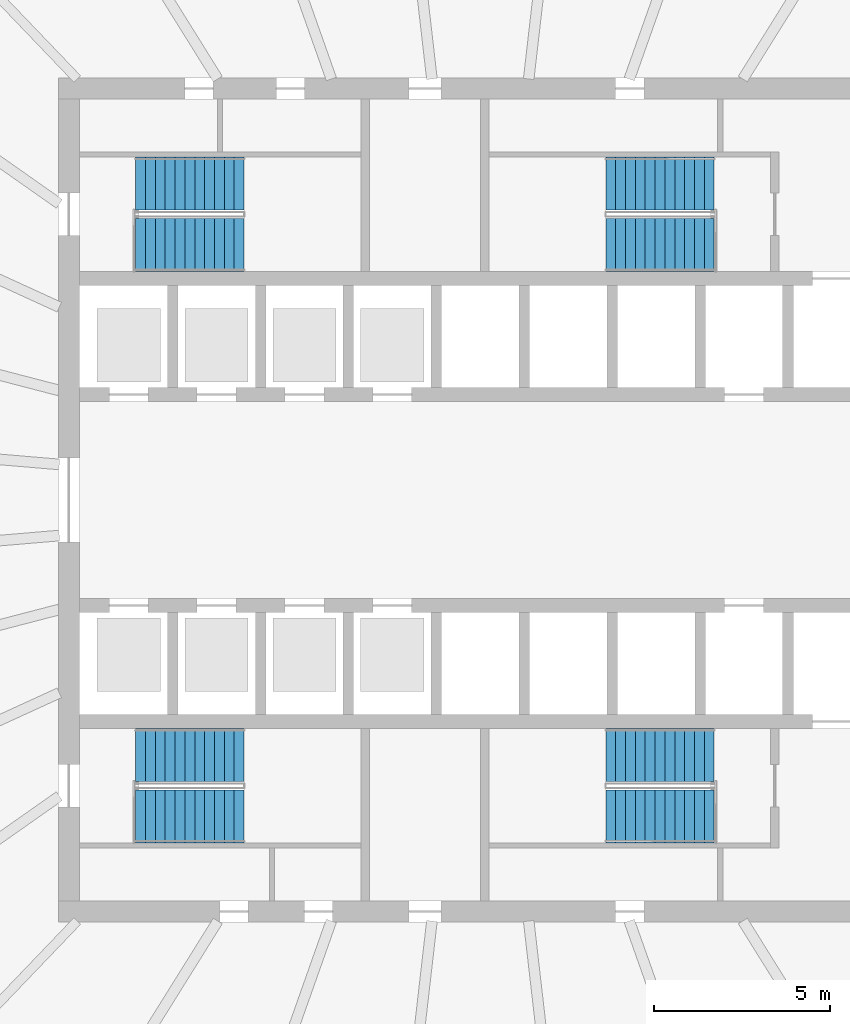
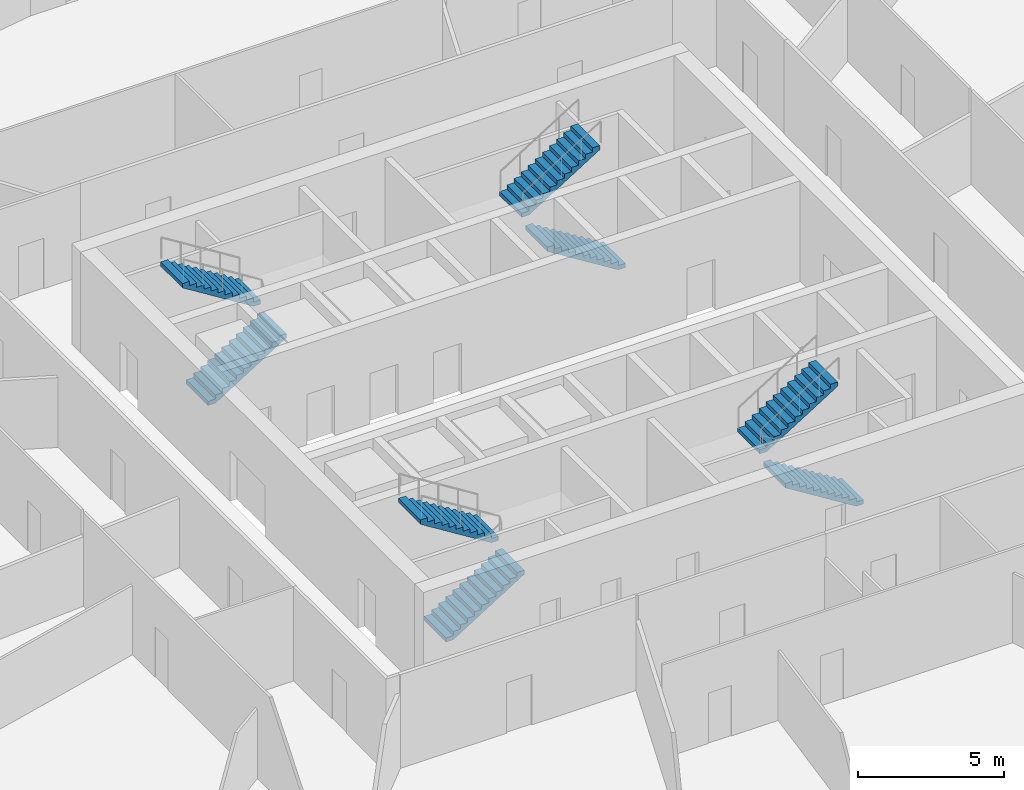
# One storey, part 11 of 16: 8 stair flights, 4 elements without a shape of their own.
"""IFC4 building model written with IfcOpenShell, lengths in metres."""

from ifc_helpers import new_model, si_unit, direction, frame, origin, place, context, subcontext, project, spatial, polyline, outline, extrude, material, type_object, element, aggregate, save


model = new_model("IFC4")

# Units and contexts
model_context = context("Model", 3, precision=1e-05, world=origin(), true_north=direction((0.0, 1.0)))
body_context = subcontext(model_context, "Body", "Model", "MODEL_VIEW")
ifc_project = project(units=[si_unit("LENGTHUNIT", "METRE"), si_unit("AREAUNIT", "SQUARE_METRE"), si_unit("VOLUMEUNIT", "CUBIC_METRE"), si_unit("PLANEANGLEUNIT", "RADIAN"), si_unit("MASSUNIT", "GRAM", prefix="KILO")], contexts=[model_context])

# Site, building, storey
site_placement = place(None, origin())
site = spatial("IfcSite", under=ifc_project, at=site_placement, CompositionType="ELEMENT")
building_placement = place(site_placement, origin())
building = spatial("IfcBuilding", under=site, at=building_placement, Name="Halqa Exchange Tower", CompositionType="ELEMENT")
storey_placement = place(building_placement, frame((0.0, 0.0, 23.5)))
storey = spatial("IfcBuildingStorey", under=building, at=storey_placement, Name="L04", CompositionType="ELEMENT", Elevation=23.5)

# Stair, stair flights
ifc_material = material(Name="Concrete C30/37", Category="concrete")
stair_type = type_object("IfcStairType", Name="Exit stair 1500 wide", PredefinedType="HALF_TURN_STAIR", material=ifc_material)
stair_1_placement = place(storey_placement, origin())
stair_1 = element("IfcStair", 1, at=stair_1_placement, inside=storey, type_object=stair_type, Name="Exit stair ST1", PredefinedType="HALF_TURN_STAIR")
stair_flight_type = type_object("IfcStairFlightType", Name="Stair flight 1500 wide", PredefinedType="STRAIGHT", material=ifc_material)
stair_flight_1_placement = place(storey_placement, frame((-9.800048828125, 7.25, 0.0), z_axis=(0.0, 0.0, 1.0), x_axis=(1.0, 0.0, 0.0)))
stair_flight_1 = element("IfcStairFlight", 2, at=stair_flight_1_placement, type_object=stair_flight_type, Name="ST1 flight 1", NumberOfRisers=12, NumberOfTreads=11, PredefinedType="STRAIGHT", RiserHeight=0.175, TreadLength=0.28, context=body_context, shape_type="SweptSolid", body=[
    extrude(outline(polyline([(0.0, 0.0), (0.0, 0.175048828125), (0.280029296875, 0.175048828125), (0.280029296875, 0.35009765625), (0.56005859375, 0.35009765625), (0.56005859375, 0.52490234375), (0.840087890625, 0.52490234375), (0.840087890625, 0.699951171875), (1.1201171875, 0.699951171875), (1.1201171875, 0.875), (1.39990234375, 0.875), (1.39990234375, 1.050048828125), (1.679931640625, 1.050048828125), (1.679931640625, 1.22509765625), (1.9599609375, 1.22509765625), (1.9599609375, 1.39990234375), (2.239990234375, 1.39990234375), (2.239990234375, 1.574951171875), (2.52001953125, 1.574951171875), (2.52001953125, 1.75), (2.800048828125, 1.75), (2.800048828125, 1.925048828125), (3.080078125, 1.925048828125), (3.080078125, 2.10009765625), (3.080078125, 1.748291015625), (0.28271484375, 0.0), (0.0, 0.0)])), frame((0.0, 0.75, 0.0), z_axis=(0.0, -1.0, 0.0), x_axis=(1.0, 0.0, 0.0)), (0.0, 0.0, 1.0), 1.5),
])
stair_flight_2_placement = place(storey_placement, frame((-6.719970703125, 9.0, 2.10009765625), z_axis=(0.0, 0.0, 1.0), x_axis=(-1.0, 0.0, 0.0)))
stair_flight_2 = element("IfcStairFlight", 3, at=stair_flight_2_placement, type_object=stair_flight_type, Name="ST1 flight 2", NumberOfRisers=12, NumberOfTreads=11, PredefinedType="STRAIGHT", RiserHeight=0.175, TreadLength=0.28, context=body_context, shape_type="SweptSolid", body=[
    extrude(outline(polyline([(0.0, 0.0), (0.0, 0.175048828125), (0.280029296875, 0.175048828125), (0.280029296875, 0.35009765625), (0.56005859375, 0.35009765625), (0.56005859375, 0.52490234375), (0.840087890625, 0.52490234375), (0.840087890625, 0.699951171875), (1.1201171875, 0.699951171875), (1.1201171875, 0.875), (1.39990234375, 0.875), (1.39990234375, 1.050048828125), (1.679931640625, 1.050048828125), (1.679931640625, 1.22509765625), (1.9599609375, 1.22509765625), (1.9599609375, 1.39990234375), (2.239990234375, 1.39990234375), (2.239990234375, 1.574951171875), (2.52001953125, 1.574951171875), (2.52001953125, 1.75), (2.800048828125, 1.75), (2.800048828125, 1.925048828125), (3.080078125, 1.925048828125), (3.080078125, 2.10009765625), (3.080078125, 1.748291015625), (0.28271484375, 0.0), (0.0, 0.0)])), frame((0.0, 0.75, 0.0), z_axis=(0.0, -1.0, 0.0), x_axis=(1.0, 0.0, 0.0)), (0.0, 0.0, 1.0), 1.5),
])
aggregate(stair_1, [stair_flight_1, stair_flight_2])

stair_2_placement = place(storey_placement, origin())
stair_2 = element("IfcStair", 4, at=stair_2_placement, inside=storey, type_object=stair_type, Name="Exit stair ST2", PredefinedType="HALF_TURN_STAIR")
stair_flight_3_placement = place(storey_placement, frame((6.64990234375, 7.25, 0.0), z_axis=(0.0, 0.0, 1.0), x_axis=(-1.0, 0.0, 0.0)))
stair_flight_3 = element("IfcStairFlight", 5, at=stair_flight_3_placement, type_object=stair_flight_type, Name="ST2 flight 1", NumberOfRisers=12, NumberOfTreads=11, PredefinedType="STRAIGHT", RiserHeight=0.175, TreadLength=0.28, context=body_context, shape_type="SweptSolid", body=[
    extrude(outline(polyline([(0.0, 0.0), (0.0, 0.175048828125), (0.280029296875, 0.175048828125), (0.280029296875, 0.35009765625), (0.56005859375, 0.35009765625), (0.56005859375, 0.52490234375), (0.840087890625, 0.52490234375), (0.840087890625, 0.699951171875), (1.1201171875, 0.699951171875), (1.1201171875, 0.875), (1.39990234375, 0.875), (1.39990234375, 1.050048828125), (1.679931640625, 1.050048828125), (1.679931640625, 1.22509765625), (1.9599609375, 1.22509765625), (1.9599609375, 1.39990234375), (2.239990234375, 1.39990234375), (2.239990234375, 1.574951171875), (2.52001953125, 1.574951171875), (2.52001953125, 1.75), (2.800048828125, 1.75), (2.800048828125, 1.925048828125), (3.080078125, 1.925048828125), (3.080078125, 2.10009765625), (3.080078125, 1.748291015625), (0.28271484375, 0.0), (0.0, 0.0)])), frame((0.0, 0.75, 0.0), z_axis=(0.0, -1.0, 0.0), x_axis=(1.0, 0.0, 0.0)), (0.0, 0.0, 1.0), 1.5),
])
stair_flight_4_placement = place(storey_placement, frame((3.570068359375, 9.0, 2.10009765625), z_axis=(0.0, 0.0, 1.0), x_axis=(1.0, 0.0, 0.0)))
stair_flight_4 = element("IfcStairFlight", 6, at=stair_flight_4_placement, type_object=stair_flight_type, Name="ST2 flight 2", NumberOfRisers=12, NumberOfTreads=11, PredefinedType="STRAIGHT", RiserHeight=0.175, TreadLength=0.28, context=body_context, shape_type="SweptSolid", body=[
    extrude(outline(polyline([(0.0, 0.0), (0.0, 0.175048828125), (0.280029296875, 0.175048828125), (0.280029296875, 0.35009765625), (0.56005859375, 0.35009765625), (0.56005859375, 0.52490234375), (0.840087890625, 0.52490234375), (0.840087890625, 0.699951171875), (1.1201171875, 0.699951171875), (1.1201171875, 0.875), (1.39990234375, 0.875), (1.39990234375, 1.050048828125), (1.679931640625, 1.050048828125), (1.679931640625, 1.22509765625), (1.9599609375, 1.22509765625), (1.9599609375, 1.39990234375), (2.239990234375, 1.39990234375), (2.239990234375, 1.574951171875), (2.52001953125, 1.574951171875), (2.52001953125, 1.75), (2.800048828125, 1.75), (2.800048828125, 1.925048828125), (3.080078125, 1.925048828125), (3.080078125, 2.10009765625), (3.080078125, 1.748291015625), (0.28271484375, 0.0), (0.0, 0.0)])), frame((0.0, 0.75, 0.0), z_axis=(0.0, -1.0, 0.0), x_axis=(1.0, 0.0, 0.0)), (0.0, 0.0, 1.0), 1.5),
])
aggregate(stair_2, [stair_flight_3, stair_flight_4])

stair_3_placement = place(storey_placement, origin())
stair_3 = element("IfcStair", 7, at=stair_3_placement, inside=storey, type_object=stair_type, Name="Exit stair ST3", PredefinedType="HALF_TURN_STAIR")
stair_flight_5_placement = place(storey_placement, frame((-9.800048828125, -9.0, 0.0), z_axis=(0.0, 0.0, 1.0), x_axis=(1.0, 0.0, 0.0)))
stair_flight_5 = element("IfcStairFlight", 8, at=stair_flight_5_placement, type_object=stair_flight_type, Name="ST3 flight 1", NumberOfRisers=12, NumberOfTreads=11, PredefinedType="STRAIGHT", RiserHeight=0.175, TreadLength=0.28, context=body_context, shape_type="SweptSolid", body=[
    extrude(outline(polyline([(0.0, 0.0), (0.0, 0.175048828125), (0.280029296875, 0.175048828125), (0.280029296875, 0.35009765625), (0.56005859375, 0.35009765625), (0.56005859375, 0.52490234375), (0.840087890625, 0.52490234375), (0.840087890625, 0.699951171875), (1.1201171875, 0.699951171875), (1.1201171875, 0.875), (1.39990234375, 0.875), (1.39990234375, 1.050048828125), (1.679931640625, 1.050048828125), (1.679931640625, 1.22509765625), (1.9599609375, 1.22509765625), (1.9599609375, 1.39990234375), (2.239990234375, 1.39990234375), (2.239990234375, 1.574951171875), (2.52001953125, 1.574951171875), (2.52001953125, 1.75), (2.800048828125, 1.75), (2.800048828125, 1.925048828125), (3.080078125, 1.925048828125), (3.080078125, 2.10009765625), (3.080078125, 1.748291015625), (0.28271484375, 0.0), (0.0, 0.0)])), frame((0.0, 0.75, 0.0), z_axis=(0.0, -1.0, 0.0), x_axis=(1.0, 0.0, 0.0)), (0.0, 0.0, 1.0), 1.5),
])
stair_flight_6_placement = place(storey_placement, frame((-6.719970703125, -7.25, 2.10009765625), z_axis=(0.0, 0.0, 1.0), x_axis=(-1.0, 0.0, 0.0)))
stair_flight_6 = element("IfcStairFlight", 9, at=stair_flight_6_placement, type_object=stair_flight_type, Name="ST3 flight 2", NumberOfRisers=12, NumberOfTreads=11, PredefinedType="STRAIGHT", RiserHeight=0.175, TreadLength=0.28, context=body_context, shape_type="SweptSolid", body=[
    extrude(outline(polyline([(0.0, 0.0), (0.0, 0.175048828125), (0.280029296875, 0.175048828125), (0.280029296875, 0.35009765625), (0.56005859375, 0.35009765625), (0.56005859375, 0.52490234375), (0.840087890625, 0.52490234375), (0.840087890625, 0.699951171875), (1.1201171875, 0.699951171875), (1.1201171875, 0.875), (1.39990234375, 0.875), (1.39990234375, 1.050048828125), (1.679931640625, 1.050048828125), (1.679931640625, 1.22509765625), (1.9599609375, 1.22509765625), (1.9599609375, 1.39990234375), (2.239990234375, 1.39990234375), (2.239990234375, 1.574951171875), (2.52001953125, 1.574951171875), (2.52001953125, 1.75), (2.800048828125, 1.75), (2.800048828125, 1.925048828125), (3.080078125, 1.925048828125), (3.080078125, 2.10009765625), (3.080078125, 1.748291015625), (0.28271484375, 0.0), (0.0, 0.0)])), frame((0.0, 0.75, 0.0), z_axis=(0.0, -1.0, 0.0), x_axis=(1.0, 0.0, 0.0)), (0.0, 0.0, 1.0), 1.5),
])
aggregate(stair_3, [stair_flight_5, stair_flight_6])

stair_4_placement = place(storey_placement, origin())
stair_4 = element("IfcStair", 10, at=stair_4_placement, inside=storey, type_object=stair_type, Name="Exit stair ST4", PredefinedType="HALF_TURN_STAIR")
stair_flight_7_placement = place(storey_placement, frame((6.64990234375, -9.0, 0.0), z_axis=(0.0, 0.0, 1.0), x_axis=(-1.0, 0.0, 0.0)))
stair_flight_7 = element("IfcStairFlight", 11, at=stair_flight_7_placement, type_object=stair_flight_type, Name="ST4 flight 1", NumberOfRisers=12, NumberOfTreads=11, PredefinedType="STRAIGHT", RiserHeight=0.175, TreadLength=0.28, context=body_context, shape_type="SweptSolid", body=[
    extrude(outline(polyline([(0.0, 0.0), (0.0, 0.175048828125), (0.280029296875, 0.175048828125), (0.280029296875, 0.35009765625), (0.56005859375, 0.35009765625), (0.56005859375, 0.52490234375), (0.840087890625, 0.52490234375), (0.840087890625, 0.699951171875), (1.1201171875, 0.699951171875), (1.1201171875, 0.875), (1.39990234375, 0.875), (1.39990234375, 1.050048828125), (1.679931640625, 1.050048828125), (1.679931640625, 1.22509765625), (1.9599609375, 1.22509765625), (1.9599609375, 1.39990234375), (2.239990234375, 1.39990234375), (2.239990234375, 1.574951171875), (2.52001953125, 1.574951171875), (2.52001953125, 1.75), (2.800048828125, 1.75), (2.800048828125, 1.925048828125), (3.080078125, 1.925048828125), (3.080078125, 2.10009765625), (3.080078125, 1.748291015625), (0.28271484375, 0.0), (0.0, 0.0)])), frame((0.0, 0.75, 0.0), z_axis=(0.0, -1.0, 0.0), x_axis=(1.0, 0.0, 0.0)), (0.0, 0.0, 1.0), 1.5),
])
stair_flight_8_placement = place(storey_placement, frame((3.570068359375, -7.25, 2.10009765625), z_axis=(0.0, 0.0, 1.0), x_axis=(1.0, 0.0, 0.0)))
stair_flight_8 = element("IfcStairFlight", 12, at=stair_flight_8_placement, type_object=stair_flight_type, Name="ST4 flight 2", NumberOfRisers=12, NumberOfTreads=11, PredefinedType="STRAIGHT", RiserHeight=0.175, TreadLength=0.28, context=body_context, shape_type="SweptSolid", body=[
    extrude(outline(polyline([(0.0, 0.0), (0.0, 0.175048828125), (0.280029296875, 0.175048828125), (0.280029296875, 0.35009765625), (0.56005859375, 0.35009765625), (0.56005859375, 0.52490234375), (0.840087890625, 0.52490234375), (0.840087890625, 0.699951171875), (1.1201171875, 0.699951171875), (1.1201171875, 0.875), (1.39990234375, 0.875), (1.39990234375, 1.050048828125), (1.679931640625, 1.050048828125), (1.679931640625, 1.22509765625), (1.9599609375, 1.22509765625), (1.9599609375, 1.39990234375), (2.239990234375, 1.39990234375), (2.239990234375, 1.574951171875), (2.52001953125, 1.574951171875), (2.52001953125, 1.75), (2.800048828125, 1.75), (2.800048828125, 1.925048828125), (3.080078125, 1.925048828125), (3.080078125, 2.10009765625), (3.080078125, 1.748291015625), (0.28271484375, 0.0), (0.0, 0.0)])), frame((0.0, 0.75, 0.0), z_axis=(0.0, -1.0, 0.0), x_axis=(1.0, 0.0, 0.0)), (0.0, 0.0, 1.0), 1.5),
])
aggregate(stair_4, [stair_flight_7, stair_flight_8])

save(model, "model.ifc")
